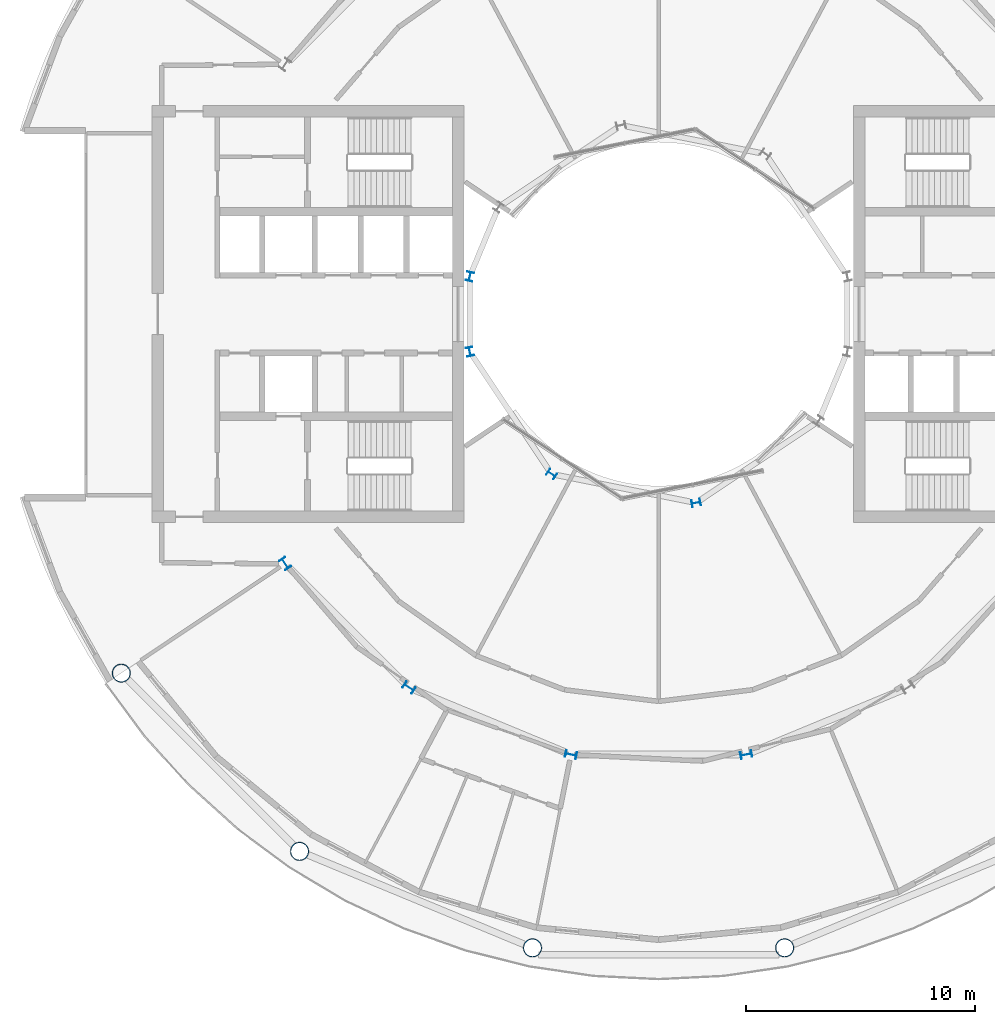
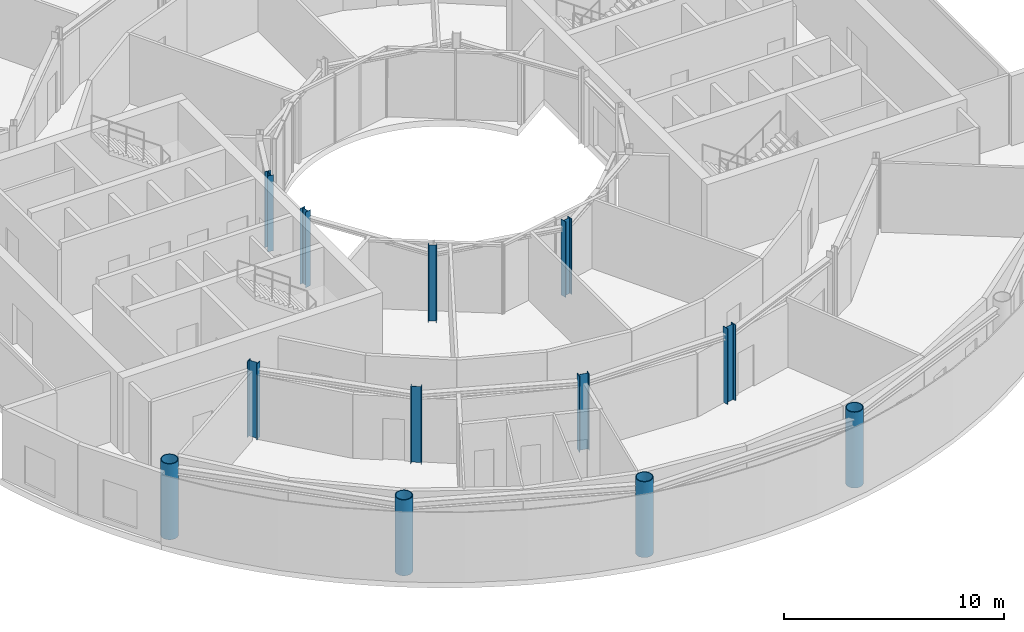
# One storey, part 1 of 21: 12 columns.
"""IFC4 building model written with IfcOpenShell, lengths in metres."""

from ifc_helpers import new_model, si_unit, direction, frame, origin, origin_2d, place, context, subcontext, project, spatial, hollow_circle, i_section, extrude, material, material_profile, profile_set, type_object, element, save


model = new_model("IFC4")

# Units and contexts
model_context = context("Model", 3, precision=1e-05, world=origin(), true_north=direction((0.0, 1.0)))
body_context = subcontext(model_context, "Body", "Model", "MODEL_VIEW")
ifc_project = project(units=[si_unit("LENGTHUNIT", "METRE"), si_unit("AREAUNIT", "SQUARE_METRE"), si_unit("VOLUMEUNIT", "CUBIC_METRE"), si_unit("PLANEANGLEUNIT", "RADIAN"), si_unit("MASSUNIT", "GRAM", prefix="KILO")], contexts=[model_context])

# Site, building, storey
site_placement = place(None, origin())
site = spatial("IfcSite", under=ifc_project, at=site_placement, CompositionType="ELEMENT")
building_placement = place(site_placement, origin())
building = spatial("IfcBuilding", under=site, at=building_placement, Name="Maasbend Ring Residences", CompositionType="ELEMENT")
storey_placement = place(building_placement, frame((0.0, 0.0, 157.39990234375)))
storey = spatial("IfcBuildingStorey", under=building, at=storey_placement, Name="L45", CompositionType="ELEMENT", Elevation=157.39990234375)

# Columns
ifc_material_1 = material(Name="Composite concrete-filled steel tube S460NH / C80/95", Category="concrete")
ifc_material_profile_1 = material_profile(ifc_material_1, hollow_circle(Radius=0.406494140625, WallThickness=0.0400390625, at=origin_2d()), Name="Composite tube column CHS 813x40")
ifc_profile_set_1 = profile_set([ifc_material_profile_1], Name="Composite concrete-filled steel tube S460NH / C80/95")
column_type_1 = type_object("IfcColumnType", Name="Composite tube column CHS 813x40", PredefinedType="COLUMN", material=ifc_profile_set_1)
for number, where, z_axis, x_axis, name in (
    (1, (-23.447509765625, -15.6669921875, 0.0), (0.0, 0.0, 1.0), (1.0, 0.0, 0.0), "Outer column R10"),
    (2, (-15.6669921875, -23.447509765625, 0.0), (0.0, 0.0, 1.0), (1.0, 0.0, 0.0), "Outer column R11"),
    (3, (-5.50146484375, -27.658203125, 0.0), (0.0, 0.0, 1.0), (1.0, 0.0, 0.0), "Outer column R12"),
    (4, (5.50146484375, -27.658203125, 0.0), (0.0, 0.0, 1.0), (1.0, 0.0, 0.0), "Outer column R13"),
):
    element("IfcColumn", number, at=place(storey_placement, frame(where, z_axis=z_axis, x_axis=x_axis)), inside=storey, type_object=column_type_1, Name=name, PredefinedType="COLUMN", context=body_context, shape_type="SweptSolid", body=[
        extrude(hollow_circle(Radius=0.406494140625, WallThickness=0.0400390625, at=origin_2d()), origin(), (0.0, 0.0, 1.0), 4.2001953125),
    ])
ifc_material_2 = material(Name="Steel S355J2", Category="steel")
ifc_material_profile_2 = material_profile(ifc_material_2, i_section(OverallWidth=0.300048828125, OverallDepth=0.389892578125, WebThickness=0.010986328125, FlangeThickness=0.01904296875, FilletRadius=0.027099609375, at=origin_2d()), Name="HEA 400")
ifc_profile_set_2 = profile_set([ifc_material_profile_2], Name="Steel S355J2")
column_type_2 = type_object("IfcColumnType", Name="Steel column HEA 400", PredefinedType="COLUMN", material=ifc_profile_set_2)
for number, where, z_axis, x_axis, name in (
    (5, (-8.238525390625, 1.638916015625, 0.0), (0.0, 0.0, 1.0), (-0.980785280403, 0.195090322016, 0.0), "Well ring column R8"),
    (6, (-8.238525390625, -1.638916015625, 0.0), (0.0, 0.0, 1.0), (-0.980785280403, -0.195090322016, 0.0), "Well ring column R9"),
    (7, (-4.666748046875, -6.984375, 0.0), (0.0, 0.0, 1.0), (-0.55557023302, -0.831469612303, 0.0), "Well ring column R11"),
    (8, (1.638916015625, -8.238525390625, 0.0), (0.0, 0.0, 1.0), (0.195090322016, -0.980785280403, 0.0), "Well ring column R13"),
):
    element("IfcColumn", number, at=place(storey_placement, frame(where, z_axis=z_axis, x_axis=x_axis)), inside=storey, type_object=column_type_2, Name=name, PredefinedType="COLUMN", context=body_context, shape_type="SweptSolid", body=[
        extrude(i_section(OverallWidth=0.300048828125, OverallDepth=0.389892578125, WebThickness=0.010986328125, FlangeThickness=0.01904296875, FilletRadius=0.027099609375, at=origin_2d()), origin(), (0.0, 0.0, 1.0), 4.2001953125),
    ])
ifc_material_3 = material(Name="Steel S355J2", Category="steel")
ifc_material_profile_3 = material_profile(ifc_material_3, i_section(OverallWidth=0.300048828125, OverallDepth=0.5, WebThickness=0.014404296875, FlangeThickness=0.028076171875, FilletRadius=0.027099609375, at=origin_2d()), Name="HEB 500")
ifc_profile_set_3 = profile_set([ifc_material_profile_3], Name="Steel S355J2")
column_type_3 = type_object("IfcColumnType", Name="Steel column HEB 500", PredefinedType="COLUMN", material=ifc_profile_set_3)
for number, where, z_axis, x_axis, name in (
    (9, (-16.296875, -10.88916015625, 0.0), (0.0, 0.0, 1.0), (-0.831469612303, -0.55557023302, 0.0), "Corridor ring column R10"),
    (10, (-10.88916015625, -16.296875, 0.0), (0.0, 0.0, 1.0), (-0.55557023302, -0.831469612303, 0.0), "Corridor ring column R11"),
    (11, (-3.82373046875, -19.223388671875, 0.0), (0.0, 0.0, 1.0), (-0.195090322016, -0.980785280403, 0.0), "Corridor ring column R12"),
    (12, (3.82373046875, -19.223388671875, 0.0), (0.0, 0.0, 1.0), (0.195090322016, -0.980785280403, 0.0), "Corridor ring column R13"),
):
    element("IfcColumn", number, at=place(storey_placement, frame(where, z_axis=z_axis, x_axis=x_axis)), inside=storey, type_object=column_type_3, Name=name, PredefinedType="COLUMN", context=body_context, shape_type="SweptSolid", body=[
        extrude(i_section(OverallWidth=0.300048828125, OverallDepth=0.5, WebThickness=0.014404296875, FlangeThickness=0.028076171875, FilletRadius=0.027099609375, at=origin_2d()), origin(), (0.0, 0.0, 1.0), 4.2001953125),
    ])

save(model, "model.ifc")
